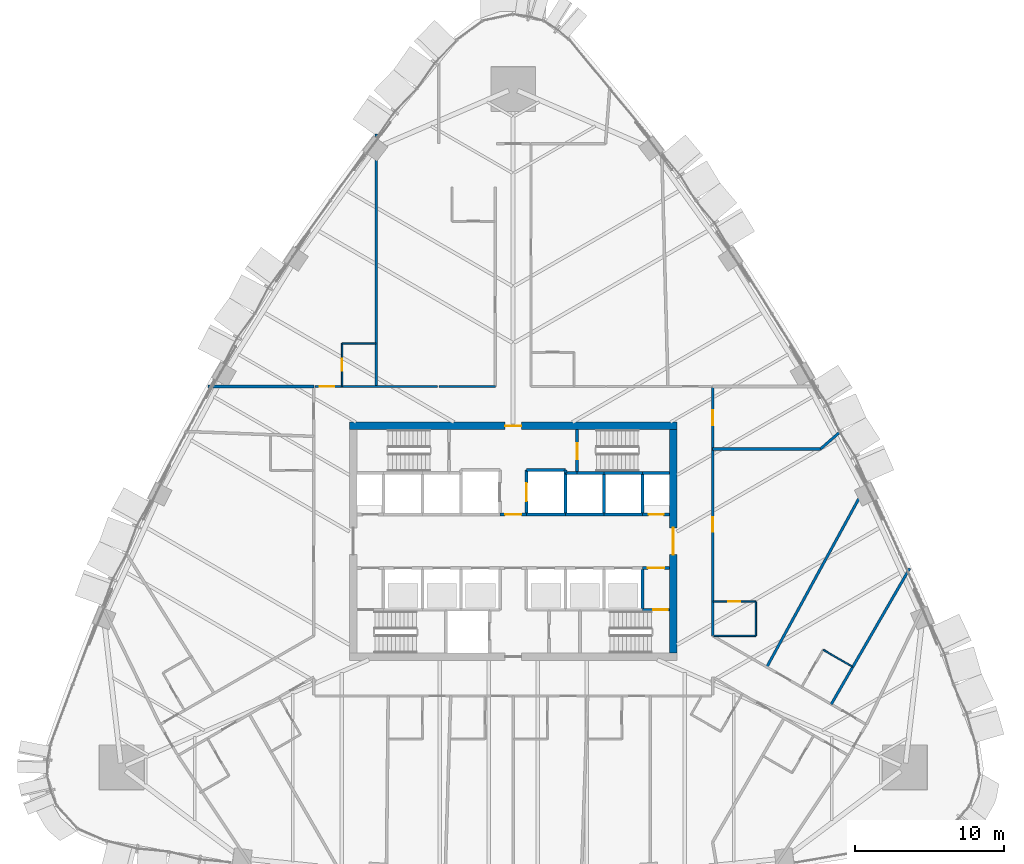
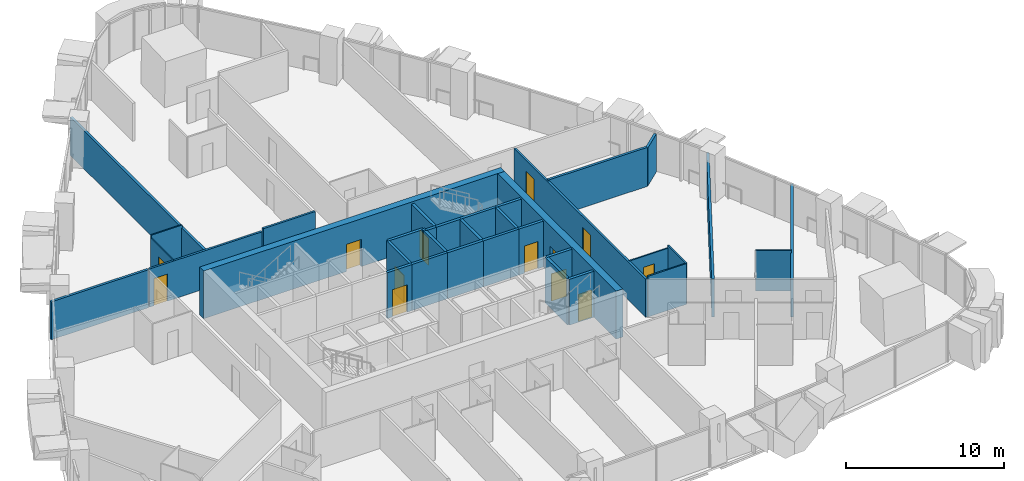
# One storey, part 14 of 19: 36 walls, 13 doors, 13 openings.
"""IFC4 building model written with IfcOpenShell, lengths in metres."""

from ifc_helpers import new_model, si_unit, direction, frame, frame_2d, origin, place, context, subcontext, project, spatial, rectangle, extrude, material, layer, layer_set, type_object, element, fill, save


model = new_model("IFC4")

# Units and contexts
model_context = context("Model", 3, precision=1e-05, world=origin(), true_north=direction((0.0, 1.0)))
body_context = subcontext(model_context, "Body", "Model", "MODEL_VIEW")
ifc_project = project(units=[si_unit("LENGTHUNIT", "METRE"), si_unit("AREAUNIT", "SQUARE_METRE"), si_unit("VOLUMEUNIT", "CUBIC_METRE"), si_unit("PLANEANGLEUNIT", "RADIAN"), si_unit("MASSUNIT", "GRAM", prefix="KILO")], contexts=[model_context])

# Site, building, storey
site_placement = place(None, origin())
site = spatial("IfcSite", under=ifc_project, at=site_placement, CompositionType="ELEMENT")
building_placement = place(site_placement, origin())
building = spatial("IfcBuilding", under=site, at=building_placement, Name="Sierra Prisma Convention Tower", CompositionType="ELEMENT")
storey_placement = place(building_placement, frame((0.0, 0.0, 77.60009765625)))
storey = spatial("IfcBuildingStorey", under=building, at=storey_placement, Name="L15", CompositionType="ELEMENT", Elevation=77.60009765625)

# Wall, opening, door
ifc_material_1 = material(Name="Gypsum board partition", Category="gypsum")
ifc_layer_1 = layer(ifc_material_1, 0.10009765625)
ifc_layer_set_1 = layer_set([ifc_layer_1], Name="Bathroom partition 100")
wall_type_1 = type_object("IfcWallType", Name="Bathroom partition 100", PredefinedType="PARTITIONING", material=ifc_layer_set_1)
wall_1_placement = place(storey_placement, frame((-11.5, 10.429931640625, 0.0), z_axis=(0.0, 0.0, 1.0), x_axis=(0.0, 1.0, 0.0)))
wall_1 = element("IfcWall", 1, at=wall_1_placement, inside=storey, type_object=wall_type_1, Name="Partition L15 bath 9", PredefinedType="PARTITIONING", context=body_context, shape_type="SweptSolid", body=[
    extrude(rectangle(XDim=2.8701171875, YDim=0.10009765625, at=frame_2d((1.43505859375, 0.0))), origin(), (0.0, 0.0, 1.0), 2.947021484375),
])
opening_1_placement = place(wall_1_placement, frame((1.034912109375, 0.0, 0.0)))
opening_1 = element("IfcOpeningElement", 2, at=opening_1_placement, cuts=wall_1, Name="Opening L15-D004", PredefinedType="OPENING", context=body_context, shape_type="SweptSolid", body=[
    extrude(rectangle(XDim=0.800048828125, YDim=2.10009765625, at=frame_2d((0.39990234375, 1.050048828125))), frame((0.0, 0.050048828125, 0.0), z_axis=(0.0, -1.0, 0.0), x_axis=(1.0, 0.0, 0.0)), (0.0, 0.0, 1.0), 0.10009765625),
])
ifc_material_2 = material(Name="Solid core timber door leaf", Category="wood")
door_type_1 = type_object("IfcDoorType", Name="Door 800x2100 plain", OperationType="SINGLE_SWING_LEFT", PredefinedType="DOOR", material=ifc_material_2)
door_1_placement = place(opening_1_placement, origin())
door_1 = element("IfcDoor", 3, at=door_1_placement, inside=storey, type_object=door_type_1, Name="Door L15 11", OperationType="SINGLE_SWING_LEFT", OverallHeight=2.10009765625, OverallWidth=0.800048828125, PredefinedType="DOOR", context=body_context, shape_type="SweptSolid", body=[
    extrude(rectangle(XDim=0.800048828125, YDim=2.10009765625, at=frame_2d((0.39990234375, 1.050048828125))), frame((0.0, 0.02490234375, 0.0), z_axis=(0.0, -1.0, 0.0), x_axis=(1.0, 0.0, 0.0)), (0.0, 0.0, 1.0), 0.050048828125),
])
fill(opening_1, door_1)

# Wall
wall_2_placement = place(storey_placement, frame((-11.5, 13.300048828125, 0.0), z_axis=(0.0, 0.0, 1.0), x_axis=(1.0, 0.0, 0.0)))
element("IfcWall", 4, at=wall_2_placement, inside=storey, type_object=wall_type_1, Name="Partition L15 bath 10", PredefinedType="PARTITIONING", context=body_context, shape_type="SweptSolid", body=[
    extrude(rectangle(XDim=2.27001953125, YDim=0.10009765625, at=frame_2d((1.135009765625, 0.0))), origin(), (0.0, 0.0, 1.0), 3.14990234375),
])

# Wall, opening, door
wall_3_placement = place(storey_placement, frame((13.429931640625, -4.05078125, 0.0), z_axis=(0.0, 0.0, 1.0), x_axis=(1.0, 0.0, 0.0)))
wall_3 = element("IfcWall", 5, at=wall_3_placement, inside=storey, type_object=wall_type_1, Name="Partition L15 bath 26", PredefinedType="PARTITIONING", context=body_context, shape_type="SweptSolid", body=[
    extrude(rectangle(XDim=2.8701171875, YDim=0.10009765625, at=frame_2d((1.43505859375, 0.0))), origin(), (0.0, 0.0, 1.0), 2.947021484375),
])
opening_2_placement = place(wall_3_placement, frame((1.034912109375, 0.0, 0.0)))
opening_2 = element("IfcOpeningElement", 6, at=opening_2_placement, cuts=wall_3, Name="Opening L15-D001", PredefinedType="OPENING", context=body_context, shape_type="SweptSolid", body=[
    extrude(rectangle(XDim=0.800048828125, YDim=2.10009765625, at=frame_2d((0.39990234375, 1.050048828125))), frame((0.0, 0.050048828125, 0.0), z_axis=(0.0, -1.0, 0.0), x_axis=(1.0, 0.0, 0.0)), (0.0, 0.0, 1.0), 0.10009765625),
])
door_2_placement = place(opening_2_placement, origin())
door_2 = element("IfcDoor", 7, at=door_2_placement, inside=storey, type_object=door_type_1, Name="Door L15 2", OperationType="SINGLE_SWING_LEFT", OverallHeight=2.10009765625, OverallWidth=0.800048828125, PredefinedType="DOOR", context=body_context, shape_type="SweptSolid", body=[
    extrude(rectangle(XDim=0.800048828125, YDim=2.10009765625, at=frame_2d((0.39990234375, 1.050048828125))), frame((0.0, 0.02490234375, 0.0), z_axis=(0.0, -1.0, 0.0), x_axis=(1.0, 0.0, 0.0)), (0.0, 0.0, 1.0), 0.050048828125),
])
fill(opening_2, door_2)

# Walls
wall_4_placement = place(storey_placement, frame((16.300048828125, -4.05078125, 0.0), z_axis=(0.0, 0.0, 1.0), x_axis=(0.0, -1.0, 0.0)))
element("IfcWall", 8, at=wall_4_placement, inside=storey, type_object=wall_type_1, Name="Partition L15 bath 27", PredefinedType="PARTITIONING", context=body_context, shape_type="SweptSolid", body=[
    extrude(rectangle(XDim=2.300048828125, YDim=0.10009765625, at=frame_2d((1.14990234375, 0.0))), origin(), (0.0, 0.0, 1.0), 3.14990234375),
])
wall_5_placement = place(storey_placement, frame((16.300048828125, -6.350830078125, 0.0), z_axis=(0.0, 0.0, 1.0), x_axis=(-1.0, 0.0, 0.0)))
element("IfcWall", 9, at=wall_5_placement, inside=storey, type_object=wall_type_1, Name="Partition L15 bath 28", PredefinedType="PARTITIONING", context=body_context, shape_type="SweptSolid", body=[
    extrude(rectangle(XDim=2.840087890625, YDim=0.10009765625, at=frame_2d((1.419921875, 0.0))), origin(), (0.0, 0.0, 1.0), 3.14990234375),
])
wall_6_placement = place(storey_placement, frame((20.82568359375, -7.289306640625, 0.0), z_axis=(0.0, 0.0, 1.0), x_axis=(0.866017224141, -0.500014167291, 0.0)))
element("IfcWall", 10, at=wall_6_placement, inside=storey, type_object=wall_type_1, Name="Partition L15 bath 32", PredefinedType="PARTITIONING", context=body_context, shape_type="SweptSolid", body=[
    extrude(rectangle(XDim=2.27001953125, YDim=0.10009765625, at=frame_2d((1.135009765625, 0.0))), origin(), (0.0, 0.0, 1.0), 3.14990234375),
])

# Wall, opening, door
ifc_material_3 = material(Name="Concrete C30/37", Category="concrete")
ifc_layer_2 = layer(ifc_material_3, 0.199951171875)
ifc_layer_set_2 = layer_set([ifc_layer_2], Name="Core wall RC 200 C30/37")
wall_type_2 = type_object("IfcWallType", Name="Core wall RC 200 C30/37", PredefinedType="SOLIDWALL", material=ifc_layer_set_2)
wall_7_placement = place(storey_placement, frame((0.89990234375, 1.800048828125, 0.0), z_axis=(0.0, 0.0, 1.0), x_axis=(-1.0, 0.0, 0.0)))
wall_7 = element("IfcWall", 11, at=wall_7_placement, inside=storey, type_object=wall_type_2, Name="Core wall L15 33", PredefinedType="SOLIDWALL", context=body_context, shape_type="SweptSolid", body=[
    extrude(rectangle(XDim=1.7998046875, YDim=0.199951171875, at=frame_2d((0.89990234375, 0.0))), origin(), (0.0, 0.0, 1.0), 3.5498046875),
])
opening_3_placement = place(wall_7_placement, frame((0.35009765625, 0.0, 0.0)))
opening_3 = element("IfcOpeningElement", 12, at=opening_3_placement, cuts=wall_7, Name="Opening L15-D027", PredefinedType="OPENING", context=body_context, shape_type="SweptSolid", body=[
    extrude(rectangle(XDim=1.10009765625, YDim=2.10009765625, at=frame_2d((0.550048828125, 1.050048828125))), frame((0.0, 0.10009765625, 0.0), z_axis=(0.0, -1.0, 0.0), x_axis=(1.0, 0.0, 0.0)), (0.0, 0.0, 1.0), 0.199951171875),
])
ifc_material_4 = material(Name="Steel fire door leaf", Category="steel")
door_type_2 = type_object("IfcDoorType", Name="Door 1100x2100 FD60S", OperationType="SINGLE_SWING_LEFT", PredefinedType="DOOR", material=ifc_material_4)
door_3_placement = place(opening_3_placement, origin())
door_3 = element("IfcDoor", 13, at=door_3_placement, inside=storey, type_object=door_type_2, Name="Door L15 49", OperationType="SINGLE_SWING_LEFT", OverallHeight=2.10009765625, OverallWidth=1.10009765625, PredefinedType="DOOR", context=body_context, shape_type="SweptSolid", body=[
    extrude(rectangle(XDim=1.10009765625, YDim=2.10009765625, at=frame_2d((0.550048828125, 1.050048828125))), frame((0.0, 0.02490234375, 0.0), z_axis=(0.0, -1.0, 0.0), x_axis=(1.0, 0.0, 0.0)), (0.0, 0.0, 1.0), 0.050048828125),
])
fill(opening_3, door_3)

# Walls
wall_8_placement = place(storey_placement, frame((3.5, 1.800048828125, 0.0), z_axis=(0.0, 0.0, 1.0), x_axis=(-1.0, 0.0, 0.0)))
element("IfcWall", 14, at=wall_8_placement, inside=storey, type_object=wall_type_2, Name="Core wall L15 37", PredefinedType="SOLIDWALL", context=body_context, shape_type="SweptSolid", body=[
    extrude(rectangle(XDim=2.60009765625, YDim=0.199951171875, at=frame_2d((1.300048828125, 0.0))), origin(), (0.0, 0.0, 1.0), 3.5498046875),
])
wall_9_placement = place(storey_placement, frame((3.5, 4.60009765625, 0.0), z_axis=(0.0, 0.0, 1.0), x_axis=(0.0, 1.0, 0.0)))
element("IfcWall", 15, at=wall_9_placement, inside=storey, type_object=wall_type_2, Name="Core wall L15 38", PredefinedType="SOLIDWALL", context=body_context, shape_type="SweptSolid", body=[
    extrude(rectangle(XDim=0.199951171875, YDim=0.199951171875, at=frame_2d((0.10009765625, 0.0))), origin(), (0.0, 0.0, 1.0), 3.5498046875),
])
wall_10_placement = place(storey_placement, frame((3.5, 4.800048828125, 0.0), z_axis=(0.0, 0.0, 1.0), x_axis=(-1.0, 0.0, 0.0)))
element("IfcWall", 16, at=wall_10_placement, inside=storey, type_object=wall_type_2, Name="Core wall L15 39", PredefinedType="SOLIDWALL", context=body_context, shape_type="SweptSolid", body=[
    extrude(rectangle(XDim=2.60009765625, YDim=0.199951171875, at=frame_2d((1.300048828125, 0.0))), origin(), (0.0, 0.0, 1.0), 3.5498046875),
])

# Wall, opening, door
wall_11_placement = place(storey_placement, frame((0.89990234375, 4.800048828125, 0.0), z_axis=(0.0, 0.0, 1.0), x_axis=(0.0, -1.0, 0.0)))
wall_11 = element("IfcWall", 17, at=wall_11_placement, inside=storey, type_object=wall_type_2, Name="Core wall L15 40", PredefinedType="SOLIDWALL", context=body_context, shape_type="SweptSolid", body=[
    extrude(rectangle(XDim=3.0, YDim=0.199951171875, at=frame_2d((1.5, 0.0))), origin(), (0.0, 0.0, 1.0), 3.5498046875),
])
opening_4_placement = place(wall_11_placement, frame((0.89990234375, 0.0, 0.0)))
opening_4 = element("IfcOpeningElement", 18, at=opening_4_placement, cuts=wall_11, Name="Opening L15-D023", PredefinedType="OPENING", context=body_context, shape_type="SweptSolid", body=[
    extrude(rectangle(XDim=1.199951171875, YDim=2.10009765625, at=frame_2d((0.60009765625, 1.050048828125))), frame((0.0, 0.10009765625, 0.0), z_axis=(0.0, -1.0, 0.0), x_axis=(1.0, 0.0, 0.0)), (0.0, 0.0, 1.0), 0.199951171875),
])
ifc_material_5 = material(Name="Steel fire door leaf", Category="steel")
door_type_3 = type_object("IfcDoorType", Name="Door 1200x2100 EI 90 sliding lift landing", OperationType="SLIDING_TO_LEFT", PredefinedType="DOOR", material=ifc_material_5)
door_4_placement = place(opening_4_placement, origin())
door_4 = element("IfcDoor", 19, at=door_4_placement, inside=storey, type_object=door_type_3, Name="Door L15 45", OperationType="SLIDING_TO_LEFT", OverallHeight=2.10009765625, OverallWidth=1.199951171875, PredefinedType="DOOR", context=body_context, shape_type="SweptSolid", body=[
    extrude(rectangle(XDim=1.199951171875, YDim=2.10009765625, at=frame_2d((0.60009765625, 1.050048828125))), frame((0.0, 0.02490234375, 0.0), z_axis=(0.0, -1.0, 0.0), x_axis=(1.0, 0.0, 0.0)), (0.0, 0.0, 1.0), 0.050048828125),
])
fill(opening_4, door_4)

# Walls
wall_12_placement = place(storey_placement, frame((6.10009765625, 1.800048828125, 0.0), z_axis=(0.0, 0.0, 1.0), x_axis=(-1.0, 0.0, 0.0)))
element("IfcWall", 20, at=wall_12_placement, inside=storey, type_object=wall_type_2, Name="Core wall L15 46", PredefinedType="SOLIDWALL", context=body_context, shape_type="SweptSolid", body=[
    extrude(rectangle(XDim=2.60009765625, YDim=0.199951171875, at=frame_2d((1.300048828125, 0.0))), origin(), (0.0, 0.0, 1.0), 3.5498046875),
])
wall_13_placement = place(storey_placement, frame((3.5, 1.800048828125, 0.0), z_axis=(0.0, 0.0, 1.0), x_axis=(0.0, 1.0, 0.0)))
element("IfcWall", 21, at=wall_13_placement, inside=storey, type_object=wall_type_2, Name="Core wall L15 47", PredefinedType="SOLIDWALL", context=body_context, shape_type="SweptSolid", body=[
    extrude(rectangle(XDim=2.800048828125, YDim=0.199951171875, at=frame_2d((1.39990234375, 0.0))), origin(), (0.0, 0.0, 1.0), 3.5498046875),
])
wall_14_placement = place(storey_placement, frame((4.300048828125, 4.60009765625, 0.0), z_axis=(0.0, 0.0, 1.0), x_axis=(-1.0, 0.0, 0.0)))
element("IfcWall", 22, at=wall_14_placement, inside=storey, type_object=wall_type_2, Name="Core wall L15 48", PredefinedType="SOLIDWALL", context=body_context, shape_type="SweptSolid", body=[
    extrude(rectangle(XDim=0.800048828125, YDim=0.199951171875, at=frame_2d((0.39990234375, 0.0))), origin(), (0.0, 0.0, 1.0), 3.5498046875),
])
wall_15_placement = place(storey_placement, frame((6.10009765625, 4.60009765625, 0.0), z_axis=(0.0, 0.0, 1.0), x_axis=(-1.0, 0.0, 0.0)))
element("IfcWall", 23, at=wall_15_placement, inside=storey, type_object=wall_type_2, Name="Core wall L15 49", PredefinedType="SOLIDWALL", context=body_context, shape_type="SweptSolid", body=[
    extrude(rectangle(XDim=1.800048828125, YDim=0.199951171875, at=frame_2d((0.89990234375, 0.0))), origin(), (0.0, 0.0, 1.0), 3.5498046875),
])

# Wall, opening, door
wall_16_placement = place(storey_placement, frame((4.300048828125, 7.5, 0.0), z_axis=(0.0, 0.0, 1.0), x_axis=(0.0, -1.0, 0.0)))
wall_16 = element("IfcWall", 24, at=wall_16_placement, inside=storey, type_object=wall_type_2, Name="Core wall L15 50", PredefinedType="SOLIDWALL", context=body_context, shape_type="SweptSolid", body=[
    extrude(rectangle(XDim=2.89990234375, YDim=0.199951171875, at=frame_2d((1.449951171875, 0.0))), origin(), (0.0, 0.0, 1.0), 3.5498046875),
])
opening_5_placement = place(wall_16_placement, frame((0.89990234375, 0.0, 0.0)))
opening_5 = element("IfcOpeningElement", 25, at=opening_5_placement, cuts=wall_16, Name="Opening L15-D034", PredefinedType="OPENING", context=body_context, shape_type="SweptSolid", body=[
    extrude(rectangle(XDim=1.10009765625, YDim=2.10009765625, at=frame_2d((0.550048828125, 1.050048828125))), frame((0.0, 0.10009765625, 0.0), z_axis=(0.0, -1.0, 0.0), x_axis=(1.0, 0.0, 0.0)), (0.0, 0.0, 1.0), 0.199951171875),
])
ifc_material_6 = material(Name="Steel fire door leaf", Category="steel")
door_type_4 = type_object("IfcDoorType", Name="Door 1100x2100 FD90S", OperationType="SINGLE_SWING_LEFT", PredefinedType="DOOR", material=ifc_material_6)
door_5_placement = place(opening_5_placement, origin())
door_5 = element("IfcDoor", 26, at=door_5_placement, inside=storey, type_object=door_type_4, Name="Door L15 56", OperationType="SINGLE_SWING_RIGHT", OverallHeight=2.10009765625, OverallWidth=1.10009765625, PredefinedType="DOOR", context=body_context, shape_type="SweptSolid", body=[
    extrude(rectangle(XDim=1.10009765625, YDim=2.10009765625, at=frame_2d((0.550048828125, 1.050048828125))), frame((0.0, 0.02490234375, 0.0), z_axis=(0.0, -1.0, 0.0), x_axis=(1.0, 0.0, 0.0)), (0.0, 0.0, 1.0), 0.050048828125),
])
fill(opening_5, door_5)

# Walls
wall_17_placement = place(storey_placement, frame((8.699951171875, 1.800048828125, 0.0), z_axis=(0.0, 0.0, 1.0), x_axis=(-1.0, 0.0, 0.0)))
element("IfcWall", 27, at=wall_17_placement, inside=storey, type_object=wall_type_2, Name="Core wall L15 56", PredefinedType="SOLIDWALL", context=body_context, shape_type="SweptSolid", body=[
    extrude(rectangle(XDim=2.599853515625, YDim=0.199951171875, at=frame_2d((1.2998046875, 0.0))), origin(), (0.0, 0.0, 1.0), 3.5498046875),
])
wall_18_placement = place(storey_placement, frame((6.10009765625, 1.800048828125, 0.0), z_axis=(0.0, 0.0, 1.0), x_axis=(0.0, 1.0, 0.0)))
element("IfcWall", 28, at=wall_18_placement, inside=storey, type_object=wall_type_2, Name="Core wall L15 57", PredefinedType="SOLIDWALL", context=body_context, shape_type="SweptSolid", body=[
    extrude(rectangle(XDim=2.800048828125, YDim=0.199951171875, at=frame_2d((1.39990234375, 0.0))), origin(), (0.0, 0.0, 1.0), 3.5498046875),
])
wall_19_placement = place(storey_placement, frame((8.699951171875, 4.60009765625, 0.0), z_axis=(0.0, 0.0, 1.0), x_axis=(-1.0, 0.0, 0.0)))
element("IfcWall", 29, at=wall_19_placement, inside=storey, type_object=wall_type_2, Name="Core wall L15 58", PredefinedType="SOLIDWALL", context=body_context, shape_type="SweptSolid", body=[
    extrude(rectangle(XDim=2.599853515625, YDim=0.199951171875, at=frame_2d((1.2998046875, 0.0))), origin(), (0.0, 0.0, 1.0), 3.5498046875),
])

# Wall, opening, door
wall_20_placement = place(storey_placement, frame((8.699951171875, -4.60009765625, 0.0), z_axis=(0.0, 0.0, 1.0), x_axis=(1.0, 0.0, 0.0)))
wall_20 = element("IfcWall", 30, at=wall_20_placement, inside=storey, type_object=wall_type_2, Name="Core wall L15 59", PredefinedType="SOLIDWALL", context=body_context, shape_type="SweptSolid", body=[
    extrude(rectangle(XDim=1.800048828125, YDim=0.199951171875, at=frame_2d((0.89990234375, 0.0))), origin(), (0.0, 0.0, 1.0), 3.5498046875),
])
opening_6_placement = place(wall_20_placement, frame((0.699951171875, 0.0, 0.0)))
opening_6 = element("IfcOpeningElement", 31, at=opening_6_placement, cuts=wall_20, Name="Opening L15-D032", PredefinedType="OPENING", context=body_context, shape_type="SweptSolid", body=[
    extrude(rectangle(XDim=1.0, YDim=2.10009765625, at=frame_2d((0.5, 1.050048828125))), frame((0.0, 0.10009765625, 0.0), z_axis=(0.0, -1.0, 0.0), x_axis=(1.0, 0.0, 0.0)), (0.0, 0.0, 1.0), 0.199951171875),
])
ifc_material_7 = material(Name="Steel fire door leaf", Category="steel")
door_type_5 = type_object("IfcDoorType", Name="Door 1000x2100 FD90S", OperationType="SINGLE_SWING_LEFT", PredefinedType="DOOR", material=ifc_material_7)
door_6_placement = place(opening_6_placement, origin())
door_6 = element("IfcDoor", 32, at=door_6_placement, inside=storey, type_object=door_type_5, Name="Door L15 54", OperationType="SINGLE_SWING_RIGHT", OverallHeight=2.10009765625, OverallWidth=1.0, PredefinedType="DOOR", context=body_context, shape_type="SweptSolid", body=[
    extrude(rectangle(XDim=1.0, YDim=2.10009765625, at=frame_2d((0.5, 1.050048828125))), frame((0.0, 0.02490234375, 0.0), z_axis=(0.0, -1.0, 0.0), x_axis=(1.0, 0.0, 0.0)), (0.0, 0.0, 1.0), 0.050048828125),
])
fill(opening_6, door_6)

# Wall
wall_21_placement = place(storey_placement, frame((8.699951171875, -1.800048828125, 0.0), z_axis=(0.0, 0.0, 1.0), x_axis=(0.0, -1.0, 0.0)))
element("IfcWall", 33, at=wall_21_placement, inside=storey, type_object=wall_type_2, Name="Core wall L15 60", PredefinedType="SOLIDWALL", context=body_context, shape_type="SweptSolid", body=[
    extrude(rectangle(XDim=2.800048828125, YDim=0.199951171875, at=frame_2d((1.39990234375, 0.0))), origin(), (0.0, 0.0, 1.0), 3.5498046875),
])

# Wall, opening, door
wall_22_placement = place(storey_placement, frame((8.699951171875, -1.800048828125, 0.0), z_axis=(0.0, 0.0, 1.0), x_axis=(1.0, 0.0, 0.0)))
wall_22 = element("IfcWall", 34, at=wall_22_placement, inside=storey, type_object=wall_type_2, Name="Core wall L15 61", PredefinedType="SOLIDWALL", context=body_context, shape_type="SweptSolid", body=[
    extrude(rectangle(XDim=1.800048828125, YDim=0.199951171875, at=frame_2d((0.89990234375, 0.0))), origin(), (0.0, 0.0, 1.0), 3.5498046875),
])
opening_7_placement = place(wall_22_placement, frame((0.35009765625, 0.0, 0.0)))
opening_7 = element("IfcOpeningElement", 35, at=opening_7_placement, cuts=wall_22, Name="Opening L15-D026", PredefinedType="OPENING", context=body_context, shape_type="SweptSolid", body=[
    extrude(rectangle(XDim=1.10009765625, YDim=2.10009765625, at=frame_2d((0.550048828125, 1.050048828125))), frame((0.0, 0.10009765625, 0.0), z_axis=(0.0, -1.0, 0.0), x_axis=(1.0, 0.0, 0.0)), (0.0, 0.0, 1.0), 0.199951171875),
])
door_7_placement = place(opening_7_placement, origin())
door_7 = element("IfcDoor", 36, at=door_7_placement, inside=storey, type_object=door_type_4, Name="Door L15 48", OperationType="SINGLE_SWING_RIGHT", OverallHeight=2.10009765625, OverallWidth=1.10009765625, PredefinedType="DOOR", context=body_context, shape_type="SweptSolid", body=[
    extrude(rectangle(XDim=1.10009765625, YDim=2.10009765625, at=frame_2d((0.550048828125, 1.050048828125))), frame((0.0, 0.02490234375, 0.0), z_axis=(0.0, -1.0, 0.0), x_axis=(1.0, 0.0, 0.0)), (0.0, 0.0, 1.0), 0.050048828125),
])
fill(opening_7, door_7)

wall_23_placement = place(storey_placement, frame((10.5, 1.800048828125, 0.0), z_axis=(0.0, 0.0, 1.0), x_axis=(-1.0, 0.0, 0.0)))
wall_23 = element("IfcWall", 37, at=wall_23_placement, inside=storey, type_object=wall_type_2, Name="Core wall L15 62", PredefinedType="SOLIDWALL", context=body_context, shape_type="SweptSolid", body=[
    extrude(rectangle(XDim=1.800048828125, YDim=0.199951171875, at=frame_2d((0.89990234375, 0.0))), origin(), (0.0, 0.0, 1.0), 3.5498046875),
])
opening_8_placement = place(wall_23_placement, frame((0.39990234375, 0.0, 0.0)))
opening_8 = element("IfcOpeningElement", 38, at=opening_8_placement, cuts=wall_23, Name="Opening L15-D030", PredefinedType="OPENING", context=body_context, shape_type="SweptSolid", body=[
    extrude(rectangle(XDim=1.0, YDim=2.10009765625, at=frame_2d((0.5, 1.050048828125))), frame((0.0, 0.10009765625, 0.0), z_axis=(0.0, -1.0, 0.0), x_axis=(1.0, 0.0, 0.0)), (0.0, 0.0, 1.0), 0.199951171875),
])
ifc_material_8 = material(Name="Steel fire door leaf", Category="steel")
door_type_6 = type_object("IfcDoorType", Name="Door 1000x2100 FD60S", OperationType="SINGLE_SWING_LEFT", PredefinedType="DOOR", material=ifc_material_8)
door_8_placement = place(opening_8_placement, origin())
door_8 = element("IfcDoor", 39, at=door_8_placement, inside=storey, type_object=door_type_6, Name="Door L15 52", OperationType="SINGLE_SWING_LEFT", OverallHeight=2.10009765625, OverallWidth=1.0, PredefinedType="DOOR", context=body_context, shape_type="SweptSolid", body=[
    extrude(rectangle(XDim=1.0, YDim=2.10009765625, at=frame_2d((0.5, 1.050048828125))), frame((0.0, 0.02490234375, 0.0), z_axis=(0.0, -1.0, 0.0), x_axis=(1.0, 0.0, 0.0)), (0.0, 0.0, 1.0), 0.050048828125),
])
fill(opening_8, door_8)

# Walls
wall_24_placement = place(storey_placement, frame((8.699951171875, 4.60009765625, 0.0), z_axis=(0.0, 0.0, 1.0), x_axis=(0.0, -1.0, 0.0)))
element("IfcWall", 40, at=wall_24_placement, inside=storey, type_object=wall_type_2, Name="Core wall L15 63", PredefinedType="SOLIDWALL", context=body_context, shape_type="SweptSolid", body=[
    extrude(rectangle(XDim=2.800048828125, YDim=0.199951171875, at=frame_2d((1.39990234375, 0.0))), origin(), (0.0, 0.0, 1.0), 3.5498046875),
])
wall_25_placement = place(storey_placement, frame((10.5, 4.60009765625, 0.0), z_axis=(0.0, 0.0, 1.0), x_axis=(-1.0, 0.0, 0.0)))
element("IfcWall", 41, at=wall_25_placement, inside=storey, type_object=wall_type_2, Name="Core wall L15 64", PredefinedType="SOLIDWALL", context=body_context, shape_type="SweptSolid", body=[
    extrude(rectangle(XDim=1.800048828125, YDim=0.199951171875, at=frame_2d((0.89990234375, 0.0))), origin(), (0.0, 0.0, 1.0), 3.5498046875),
])

# Wall, opening, door
ifc_material_9 = material(Name="Concrete C60/75", Category="concrete")
ifc_layer_3 = layer(ifc_material_9, 0.5)
ifc_layer_set_3 = layer_set([ifc_layer_3], Name="Core wall RC 500 C60/75")
wall_type_3 = type_object("IfcWallType", Name="Core wall RC 500 C60/75", PredefinedType="SHEAR", material=ifc_layer_set_3)
wall_26_placement = place(storey_placement, frame((-11.0, 7.75, 0.0), z_axis=(0.0, 0.0, 1.0), x_axis=(1.0, 0.0, 0.0)))
wall_26 = element("IfcWall", 42, at=wall_26_placement, inside=storey, type_object=wall_type_3, Name="Core wall N L15", PredefinedType="SHEAR", context=body_context, shape_type="SweptSolid", body=[
    extrude(rectangle(XDim=22.0, YDim=0.5, at=frame_2d((11.0, 0.0))), origin(), (0.0, 0.0, 1.0), 3.699951171875),
])
opening_9_placement = place(wall_26_placement, frame((10.449951171875, 0.0, 0.0)))
opening_9 = element("IfcOpeningElement", 43, at=opening_9_placement, cuts=wall_26, Name="Opening L15-D059", PredefinedType="OPENING", context=body_context, shape_type="SweptSolid", body=[
    extrude(rectangle(XDim=1.10009765625, YDim=2.10009765625, at=frame_2d((0.550048828125, 1.050048828125))), frame((0.0, 0.25, 0.0), z_axis=(0.0, -1.0, 0.0), x_axis=(1.0, 0.0, 0.0)), (0.0, 0.0, 1.0), 0.5),
])
door_9_placement = place(opening_9_placement, origin())
door_9 = element("IfcDoor", 44, at=door_9_placement, inside=storey, type_object=door_type_2, Name="Door L15 60", OperationType="SINGLE_SWING_RIGHT", OverallHeight=2.10009765625, OverallWidth=1.10009765625, PredefinedType="DOOR", context=body_context, shape_type="SweptSolid", body=[
    extrude(rectangle(XDim=1.10009765625, YDim=2.10009765625, at=frame_2d((0.550048828125, 1.050048828125))), frame((0.0, 0.02490234375, 0.0), z_axis=(0.0, -1.0, 0.0), x_axis=(1.0, 0.0, 0.0)), (0.0, 0.0, 1.0), 0.050048828125),
])
fill(opening_9, door_9)

wall_27_placement = place(storey_placement, frame((10.75, -7.5, 0.0), z_axis=(0.0, 0.0, 1.0), x_axis=(0.0, 1.0, 0.0)))
wall_27 = element("IfcWall", 45, at=wall_27_placement, inside=storey, type_object=wall_type_3, Name="Core wall E L15", PredefinedType="SHEAR", context=body_context, shape_type="SweptSolid", body=[
    extrude(rectangle(XDim=15.0, YDim=0.5, at=frame_2d((7.5, 0.0))), origin(), (0.0, 0.0, 1.0), 3.699951171875),
])
opening_10_placement = place(wall_27_placement, frame((6.60009765625, 0.0, 0.0)))
opening_10 = element("IfcOpeningElement", 46, at=opening_10_placement, cuts=wall_27, Name="Opening L15-D058", PredefinedType="OPENING", context=body_context, shape_type="SweptSolid", body=[
    extrude(rectangle(XDim=1.800048828125, YDim=2.10009765625, at=frame_2d((0.89990234375, 1.050048828125))), frame((0.0, 0.25, 0.0), z_axis=(0.0, -1.0, 0.0), x_axis=(1.0, 0.0, 0.0)), (0.0, 0.0, 1.0), 0.5),
])
ifc_material_10 = material(Name="Steel fire door leaf", Category="steel")
door_type_7 = type_object("IfcDoorType", Name="Door 1800x2100 FD60S", OperationType="DOUBLE_DOOR_SINGLE_SWING", PredefinedType="DOOR", material=ifc_material_10)
door_10_placement = place(opening_10_placement, origin())
door_10 = element("IfcDoor", 47, at=door_10_placement, inside=storey, type_object=door_type_7, Name="Door L15 59", OperationType="DOUBLE_DOOR_SINGLE_SWING", OverallHeight=2.10009765625, OverallWidth=1.800048828125, PredefinedType="DOOR", context=body_context, shape_type="SweptSolid", body=[
    extrude(rectangle(XDim=1.800048828125, YDim=2.10009765625, at=frame_2d((0.89990234375, 1.050048828125))), frame((0.0, 0.02490234375, 0.0), z_axis=(0.0, -1.0, 0.0), x_axis=(1.0, 0.0, 0.0)), (0.0, 0.0, 1.0), 0.050048828125),
])
fill(opening_10, door_10)

ifc_material_11 = material(Name="Gypsum board partition", Category="gypsum")
ifc_layer_4 = layer(ifc_material_11, 0.14990234375)
ifc_layer_set_4 = layer_set([ifc_layer_4], Name="Corridor wall 150 gypsum EI 60")
wall_type_4 = type_object("IfcWallType", Name="Corridor wall 150 gypsum EI 60", PredefinedType="PARTITIONING", material=ifc_layer_set_4)
wall_28_placement = place(storey_placement, frame((-5.080078125, 10.39990234375, 0.0), z_axis=(0.0, 0.0, 1.0), x_axis=(-1.0, 0.0, 0.0)))
wall_28 = element("IfcWall", 48, at=wall_28_placement, inside=storey, type_object=wall_type_4, Name="Partition L15 corr 7", PredefinedType="PARTITIONING", context=body_context, shape_type="SweptSolid", body=[
    extrude(rectangle(XDim=8.239990234375, YDim=0.14990234375, at=frame_2d((4.1201171875, 0.0))), origin(), (0.0, 0.0, 1.0), 2.947021484375),
])
opening_11_placement = place(wall_28_placement, frame((6.929931640625, 0.0, 0.0)))
opening_11 = element("IfcOpeningElement", 49, at=opening_11_placement, cuts=wall_28, Name="Opening L15-D042", PredefinedType="OPENING", context=body_context, shape_type="SweptSolid", body=[
    extrude(rectangle(XDim=1.0, YDim=2.10009765625, at=frame_2d((0.5, 1.050048828125))), frame((0.0, 0.074951171875, 0.0), z_axis=(0.0, -1.0, 0.0), x_axis=(1.0, 0.0, 0.0)), (0.0, 0.0, 1.0), 0.14990234375),
])
ifc_material_12 = material(Name="Steel fire door leaf", Category="steel")
door_type_8 = type_object("IfcDoorType", Name="Door 1000x2100 FD30S", OperationType="SINGLE_SWING_LEFT", PredefinedType="DOOR", material=ifc_material_12)
door_11_placement = place(opening_11_placement, origin())
door_11 = element("IfcDoor", 50, at=door_11_placement, inside=storey, type_object=door_type_8, Name="Door L15 10", OperationType="SINGLE_SWING_RIGHT", OverallHeight=2.10009765625, OverallWidth=1.0, PredefinedType="DOOR", context=body_context, shape_type="SweptSolid", body=[
    extrude(rectangle(XDim=1.0, YDim=2.10009765625, at=frame_2d((0.5, 1.050048828125))), frame((0.0, 0.02490234375, 0.0), z_axis=(0.0, -1.0, 0.0), x_axis=(1.0, 0.0, 0.0)), (0.0, 0.0, 1.0), 0.050048828125),
])
fill(opening_11, door_11)

# Wall
wall_29_placement = place(storey_placement, frame((-1.199951171875, 10.39990234375, 0.0), z_axis=(0.0, 0.0, 1.0), x_axis=(-1.0, 0.0, 0.0)))
element("IfcWall", 51, at=wall_29_placement, inside=storey, type_object=wall_type_4, Name="Partition L15 corr 9", PredefinedType="PARTITIONING", context=body_context, shape_type="SweptSolid", body=[
    extrude(rectangle(XDim=3.800048828125, YDim=0.14990234375, at=frame_2d((1.89990234375, 0.0))), origin(), (0.0, 0.0, 1.0), 3.14990234375),
])

# Wall, openings, doors
wall_30_placement = place(storey_placement, frame((13.39990234375, -6.350830078125, 0.0), z_axis=(0.0, 0.0, 1.0), x_axis=(0.0, 1.0, 0.0)))
wall_30 = element("IfcWall", 52, at=wall_30_placement, inside=storey, type_object=wall_type_4, Name="Partition L15 corr 17", PredefinedType="PARTITIONING", context=body_context, shape_type="SweptSolid", body=[
    extrude(rectangle(XDim=16.6708984375, YDim=0.14990234375, at=frame_2d((8.33544921875, 0.0))), origin(), (0.0, 0.0, 1.0), 2.947021484375),
])
opening_12_placement = place(wall_30_placement, frame((6.9755859375, 0.0, 0.0)))
opening_12 = element("IfcOpeningElement", 53, at=opening_12_placement, cuts=wall_30, Name="Opening L15-D036", PredefinedType="OPENING", context=body_context, shape_type="SweptSolid", body=[
    extrude(rectangle(XDim=1.0, YDim=2.10009765625, at=frame_2d((0.5, 1.050048828125))), frame((0.0, 0.074951171875, 0.0), z_axis=(0.0, -1.0, 0.0), x_axis=(1.0, 0.0, 0.0)), (0.0, 0.0, 1.0), 0.14990234375),
])
opening_13_placement = place(wall_30_placement, frame((14.15087890625, 0.0, 0.0)))
opening_13 = element("IfcOpeningElement", 54, at=opening_13_placement, cuts=wall_30, Name="Opening L15-D037", PredefinedType="OPENING", context=body_context, shape_type="SweptSolid", body=[
    extrude(rectangle(XDim=1.0, YDim=2.10009765625, at=frame_2d((0.5, 1.050048828125))), frame((0.0, 0.074951171875, 0.0), z_axis=(0.0, -1.0, 0.0), x_axis=(1.0, 0.0, 0.0)), (0.0, 0.0, 1.0), 0.14990234375),
])
door_12_placement = place(opening_12_placement, origin())
door_12 = element("IfcDoor", 55, at=door_12_placement, inside=storey, type_object=door_type_8, Name="Door L15 1", OperationType="SINGLE_SWING_LEFT", OverallHeight=2.10009765625, OverallWidth=1.0, PredefinedType="DOOR", context=body_context, shape_type="SweptSolid", body=[
    extrude(rectangle(XDim=1.0, YDim=2.10009765625, at=frame_2d((0.5, 1.050048828125))), frame((0.0, 0.02490234375, 0.0), z_axis=(0.0, -1.0, 0.0), x_axis=(1.0, 0.0, 0.0)), (0.0, 0.0, 1.0), 0.050048828125),
])
fill(opening_12, door_12)
door_13_placement = place(opening_13_placement, origin())
door_13 = element("IfcDoor", 56, at=door_13_placement, inside=storey, type_object=door_type_8, Name="Door L15 3", OperationType="SINGLE_SWING_RIGHT", OverallHeight=2.10009765625, OverallWidth=1.0, PredefinedType="DOOR", context=body_context, shape_type="SweptSolid", body=[
    extrude(rectangle(XDim=1.0, YDim=2.10009765625, at=frame_2d((0.5, 1.050048828125))), frame((0.0, 0.02490234375, 0.0), z_axis=(0.0, -1.0, 0.0), x_axis=(1.0, 0.0, 0.0)), (0.0, 0.0, 1.0), 0.050048828125),
])
fill(opening_13, door_13)

# Walls
ifc_material_13 = material(Name="Acoustic gypsum board partition", Category="gypsum")
ifc_layer_5 = layer(ifc_material_13, 0.175048828125)
ifc_layer_set_5 = layer_set([ifc_layer_5], Name="Guest room party wall 175 acoustic EI 60")
wall_type_5 = type_object("IfcWallType", Name="Guest room party wall 175 acoustic EI 60", PredefinedType="PARTITIONING", material=ifc_layer_set_5)
wall_31_placement = place(storey_placement, frame((-13.39990234375, 10.39990234375, 0.0), z_axis=(0.0, 0.0, 1.0), x_axis=(-1.0, 0.0, 0.0)))
element("IfcWall", 57, at=wall_31_placement, inside=storey, type_object=wall_type_5, Name="Partition L15 hparty 6", PredefinedType="PARTITIONING", context=body_context, shape_type="SweptSolid", body=[
    extrude(rectangle(XDim=7.107177734375, YDim=0.175048828125, at=frame_2d((3.5537109375, 0.0))), origin(), (0.0, 0.0, 1.0), 2.933837890625),
])
wall_32_placement = place(storey_placement, frame((-9.199951171875, 10.39990234375, 0.0), z_axis=(0.0, 0.0, 1.0), x_axis=(0.0, 1.0, 0.0)))
element("IfcWall", 58, at=wall_32_placement, inside=storey, type_object=wall_type_5, Name="Partition L15 hparty 8", PredefinedType="PARTITIONING", context=body_context, shape_type="SweptSolid", body=[
    extrude(rectangle(XDim=16.953857421875, YDim=0.175048828125, at=frame_2d((8.47705078125, 0.0))), origin(), (0.0, 0.0, 1.0), 2.947021484375),
])
wall_33_placement = place(storey_placement, frame((13.39990234375, 6.199951171875, 0.0), z_axis=(0.0, 0.0, 1.0), x_axis=(1.0, 0.0, 0.0)))
element("IfcWall", 59, at=wall_33_placement, inside=storey, type_object=wall_type_5, Name="Partition L15 hparty 20", PredefinedType="PARTITIONING", context=body_context, shape_type="SweptSolid", body=[
    extrude(rectangle(XDim=7.246337890625, YDim=0.175048828125, at=frame_2d((3.623046875, 0.0))), origin(), (0.0, 0.0, 1.0), 3.016845703125),
])
wall_34_placement = place(storey_placement, frame((20.646240234375, 6.199951171875, 0.0), z_axis=(0.0, 0.0, 1.0), x_axis=(0.752769014964, 0.658284748501, 0.0)))
element("IfcWall", 60, at=wall_34_placement, inside=storey, type_object=wall_type_5, Name="Partition L15 hparty 21", PredefinedType="PARTITIONING", context=body_context, shape_type="SweptSolid", body=[
    extrude(rectangle(XDim=1.651123046875, YDim=0.175048828125, at=frame_2d((0.82568359375, 0.0))), origin(), (0.0, 0.0, 1.0), 2.933837890625),
])
wall_35_placement = place(storey_placement, frame((23.7412109375, 3.817138671875, 0.0), z_axis=(0.0, 0.0, 1.0), x_axis=(-0.479523714328, -0.877528921117, 0.0)))
element("IfcWall", 61, at=wall_35_placement, inside=storey, type_object=wall_type_5, Name="Partition L15 hparty 23", PredefinedType="PARTITIONING", context=body_context, shape_type="SweptSolid", body=[
    extrude(rectangle(XDim=13.980224609375, YDim=0.175048828125, at=frame_2d((6.990234375, 0.0))), origin(), (0.0, 0.0, 1.0), 2.947021484375),
])
wall_36_placement = place(storey_placement, frame((26.64013671875, -1.818115234375, 0.0), z_axis=(0.0, 0.0, 1.0), x_axis=(-0.499990990727, -0.866030605228, 0.0)))
element("IfcWall", 62, at=wall_36_placement, inside=storey, type_object=wall_type_5, Name="Partition L15 hparty 25", PredefinedType="PARTITIONING", context=body_context, shape_type="SweptSolid", body=[
    extrude(rectangle(XDim=10.545654296875, YDim=0.175048828125, at=frame_2d((5.27294921875, 0.0))), origin(), (0.0, 0.0, 1.0), 2.933837890625),
])

save(model, "model.ifc")
